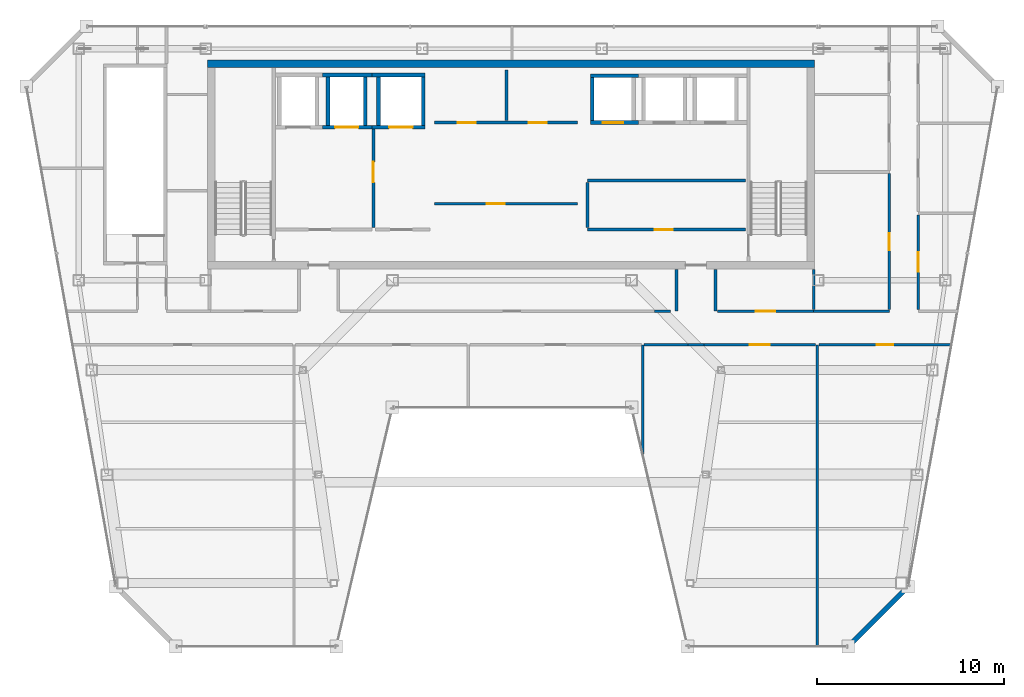
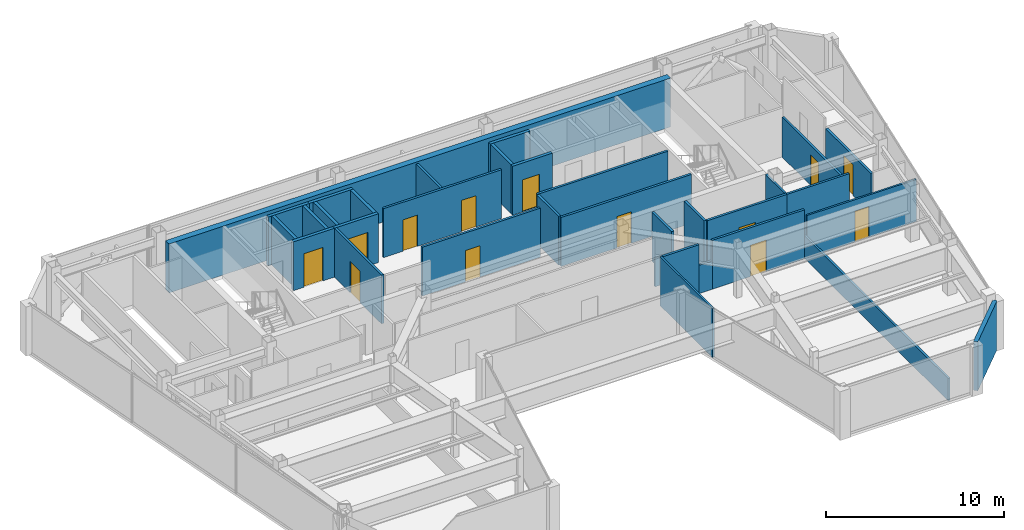
# One storey, part 26 of 30: 34 walls, 13 doors, 13 openings.
"""IFC4 building model written with IfcOpenShell, lengths in metres."""

from ifc_helpers import new_model, si_unit, direction, frame, frame_2d, origin, place, context, subcontext, project, spatial, rectangle, extrude, material, layer, layer_set, type_object, element, fill, save


model = new_model("IFC4")

# Units and contexts
model_context = context("Model", 3, precision=1e-05, world=origin(), true_north=direction((0.0, 1.0)))
body_context = subcontext(model_context, "Body", "Model", "MODEL_VIEW")
ifc_project = project(units=[si_unit("LENGTHUNIT", "METRE"), si_unit("AREAUNIT", "SQUARE_METRE"), si_unit("VOLUMEUNIT", "CUBIC_METRE"), si_unit("PLANEANGLEUNIT", "RADIAN"), si_unit("MASSUNIT", "GRAM", prefix="KILO")], contexts=[model_context])

# Site, building, storey
site_placement = place(None, origin())
site = spatial("IfcSite", under=ifc_project, at=site_placement, CompositionType="ELEMENT")
building_placement = place(site_placement, origin())
building = spatial("IfcBuilding", under=site, at=building_placement, Name="Saevonmaru Cultural Tower", CompositionType="ELEMENT")
storey_placement = place(building_placement, frame((0.0, 0.0, 272.39990234375)))
storey = spatial("IfcBuildingStorey", under=building, at=storey_placement, Name="L64", CompositionType="ELEMENT", Elevation=272.39990234375)

# Wall
ifc_material_1 = material(Name="Concrete C50/60", Category="concrete")
ifc_layer_1 = layer(ifc_material_1, 0.39990234375, Name="Concrete C50/60")
ifc_layer_set_1 = layer_set([ifc_layer_1], Name="Concrete C50/60")
wall_type_1 = type_object("IfcWallType", Name="WL-CORE-400", PredefinedType="SHEAR", material=ifc_layer_set_1)
wall_1_placement = place(storey_placement, frame((13.699951171875, 54.0, 0.0), z_axis=(0.0, 0.0, 1.0), x_axis=(1.0, 0.0, 0.0)))
element("IfcWall", 1, at=wall_1_placement, inside=storey, type_object=wall_type_1, Name="L64 Tower RC core shear wall N", PredefinedType="SHEAR", context=body_context, shape_type="SweptSolid", body=[
    extrude(rectangle(XDim=32.5, YDim=0.39990234375, at=frame_2d((16.25, 0.0))), origin(), (0.0, 0.0, 1.0), 3.35009765625),
])

# Wall, opening, door
ifc_material_2 = material(Name="Gypsum Fireboard Partition", Category="gypsum")
ifc_layer_2 = layer(ifc_material_2, 0.14990234375, Name="Gypsum Fireboard Partition")
ifc_layer_set_2 = layer_set([ifc_layer_2], Name="Gypsum Fireboard Partition")
wall_type_2 = type_object("IfcWallType", Name="WL-CORE-PART-150", PredefinedType="PARTITIONING", material=ifc_layer_set_2)
wall_2_placement = place(storey_placement, frame((22.580078125, 50.550048828125, 0.0), z_axis=(0.0, 0.0, 1.0), x_axis=(0.0, -1.0, 0.0)))
wall_2 = element("IfcWall", 2, at=wall_2_placement, inside=storey, type_object=wall_type_2, Name="L64 Firefighting Lift Lobby East Wall", PredefinedType="PARTITIONING", context=body_context, shape_type="SweptSolid", body=[
    extrude(rectangle(XDim=5.330078125, YDim=0.14990234375, at=frame_2d((2.6650390625, 0.0))), origin(), (0.0, 0.0, 1.0), 3.35009765625),
])
opening_1_placement = place(wall_2_placement, frame((1.800048828125, 0.0, 0.0)))
opening_1 = element("IfcOpeningElement", 3, at=opening_1_placement, cuts=wall_2, Name="Opening FD-2", PredefinedType="OPENING", context=body_context, shape_type="SweptSolid", body=[
    extrude(rectangle(XDim=1.10009765625, YDim=2.14990234375, at=frame_2d((0.550048828125, 1.074951171875))), frame((0.0, 0.0849609375, 0.0), z_axis=(0.0, -1.0, 0.0), x_axis=(1.0, 0.0, 0.0)), (0.0, 0.0, 1.0), 0.169921875),
])
ifc_material_3 = material(Name="Satin Bronze Anodised Aluminium", Category="aluminium")
door_type_1 = type_object("IfcDoorType", Name="DR-FD60-1100", OperationType="SINGLE_SWING_LEFT", PredefinedType="DOOR", material=ifc_material_3)
door_1_placement = place(opening_1_placement, origin())
door_1 = element("IfcDoor", 4, at=door_1_placement, inside=storey, type_object=door_type_1, Name="L64 Firefighting Lift Lobby East Door", OperationType="SINGLE_SWING_LEFT", OverallHeight=2.14990234375, OverallWidth=1.10009765625, PredefinedType="DOOR", context=body_context, shape_type="SweptSolid", body=[
    extrude(rectangle(XDim=1.10009765625, YDim=2.14990234375, at=frame_2d((0.550048828125, 1.074951171875))), frame((0.0, 0.02490234375, 0.0), z_axis=(0.0, -1.0, 0.0), x_axis=(1.0, 0.0, 0.0)), (0.0, 0.0, 1.0), 0.050048828125),
])
fill(opening_1, door_1)

wall_3_placement = place(storey_placement, frame((34.050048828125, 45.1201171875, 0.0), z_axis=(0.0, 0.0, 1.0), x_axis=(1.0, 0.0, 0.0)))
wall_3 = element("IfcWall", 5, at=wall_3_placement, inside=storey, type_object=wall_type_2, Name="L64 Core Service South Wall", PredefinedType="PARTITIONING", context=body_context, shape_type="SweptSolid", body=[
    extrude(rectangle(XDim=8.449951171875, YDim=0.14990234375, at=frame_2d((4.22509765625, 0.0))), origin(), (0.0, 0.0, 1.0), 3.35009765625),
])
opening_2_placement = place(wall_3_placement, frame((3.60009765625, 0.0, 0.0)))
opening_2 = element("IfcOpeningElement", 6, at=opening_2_placement, cuts=wall_3, Name="Opening FD-4", PredefinedType="OPENING", context=body_context, shape_type="SweptSolid", body=[
    extrude(rectangle(XDim=0.949951171875, YDim=2.14990234375, at=frame_2d((0.47509765625, 1.074951171875))), frame((0.0, 0.0849609375, 0.0), z_axis=(0.0, -1.0, 0.0), x_axis=(1.0, 0.0, 0.0)), (0.0, 0.0, 1.0), 0.169921875),
])
door_type_2 = type_object("IfcDoorType", Name="DR-FD60-950", OperationType="SINGLE_SWING_LEFT", PredefinedType="DOOR", material=ifc_material_3)
door_2_placement = place(opening_2_placement, origin())
door_2 = element("IfcDoor", 7, at=door_2_placement, inside=storey, type_object=door_type_2, Name="L64 Telecom Riser Plant Door", OperationType="SINGLE_SWING_LEFT", OverallHeight=2.14990234375, OverallWidth=0.949951171875, PredefinedType="DOOR", context=body_context, shape_type="SweptSolid", body=[
    extrude(rectangle(XDim=0.949951171875, YDim=2.14990234375, at=frame_2d((0.47509765625, 1.074951171875))), frame((0.0, 0.02490234375, 0.0), z_axis=(0.0, -1.0, 0.0), x_axis=(1.0, 0.0, 0.0)), (0.0, 0.0, 1.0), 0.050048828125),
])
fill(opening_2, door_2)

# Walls
wall_4_placement = place(storey_placement, frame((34.050048828125, 47.75, 0.0), z_axis=(0.0, 0.0, 1.0), x_axis=(1.0, 0.0, 0.0)))
element("IfcWall", 8, at=wall_4_placement, inside=storey, type_object=wall_type_2, Name="L64 Core Service North Wall", PredefinedType="PARTITIONING", context=body_context, shape_type="SweptSolid", body=[
    extrude(rectangle(XDim=8.449951171875, YDim=0.14990234375, at=frame_2d((4.22509765625, 0.0))), origin(), (0.0, 0.0, 1.0), 3.35009765625),
])
wall_5_placement = place(storey_placement, frame((34.050048828125, 45.219970703125, 0.0), z_axis=(0.0, 0.0, 1.0), x_axis=(0.0, 1.0, 0.0)))
element("IfcWall", 9, at=wall_5_placement, inside=storey, type_object=wall_type_2, Name="L64 Core Service West Wall", PredefinedType="PARTITIONING", context=body_context, shape_type="SweptSolid", body=[
    extrude(rectangle(XDim=2.429931640625, YDim=0.14990234375, at=frame_2d((1.21484375, 0.0))), origin(), (0.0, 0.0, 1.0), 3.35009765625),
])

# Wall, openings, doors
wall_6_placement = place(storey_placement, frame((25.85009765625, 50.85009765625, 0.0), z_axis=(0.0, 0.0, 1.0), x_axis=(1.0, 0.0, 0.0)))
wall_6 = element("IfcWall", 10, at=wall_6_placement, inside=storey, type_object=wall_type_2, Name="L64 Reclaimed Core Room South Wall", PredefinedType="PARTITIONING", context=body_context, shape_type="SweptSolid", body=[
    extrude(rectangle(XDim=7.64990234375, YDim=0.14990234375, at=frame_2d((3.824951171875, 0.0))), origin(), (0.0, 0.0, 1.0), 3.35009765625),
])
opening_3_placement = place(wall_6_placement, frame((1.25, 0.0, 0.0)))
opening_3 = element("IfcOpeningElement", 11, at=opening_3_placement, cuts=wall_6, Name="Opening FD-4", PredefinedType="OPENING", context=body_context, shape_type="SweptSolid", body=[
    extrude(rectangle(XDim=0.949951171875, YDim=2.14990234375, at=frame_2d((0.47509765625, 1.074951171875))), frame((0.0, 0.0849609375, 0.0), z_axis=(0.0, -1.0, 0.0), x_axis=(1.0, 0.0, 0.0)), (0.0, 0.0, 1.0), 0.169921875),
])
opening_4_placement = place(wall_6_placement, frame((5.050048828125, 0.0, 0.0)))
opening_4 = element("IfcOpeningElement", 12, at=opening_4_placement, cuts=wall_6, Name="Opening FD-4", PredefinedType="OPENING", context=body_context, shape_type="SweptSolid", body=[
    extrude(rectangle(XDim=0.949951171875, YDim=2.14990234375, at=frame_2d((0.47509765625, 1.074951171875))), frame((0.0, 0.0849609375, 0.0), z_axis=(0.0, -1.0, 0.0), x_axis=(1.0, 0.0, 0.0)), (0.0, 0.0, 1.0), 0.169921875),
])
door_3_placement = place(opening_3_placement, origin())
door_3 = element("IfcDoor", 13, at=door_3_placement, inside=storey, type_object=door_type_2, Name="L64 Reclaimed Archive Vault Door", OperationType="SINGLE_SWING_LEFT", OverallHeight=2.14990234375, OverallWidth=0.949951171875, PredefinedType="DOOR", context=body_context, shape_type="SweptSolid", body=[
    extrude(rectangle(XDim=0.949951171875, YDim=2.14990234375, at=frame_2d((0.47509765625, 1.074951171875))), frame((0.0, 0.02490234375, 0.0), z_axis=(0.0, -1.0, 0.0), x_axis=(1.0, 0.0, 0.0)), (0.0, 0.0, 1.0), 0.050048828125),
])
fill(opening_3, door_3)
door_4_placement = place(opening_4_placement, origin())
door_4 = element("IfcDoor", 14, at=door_4_placement, inside=storey, type_object=door_type_2, Name="L64 Reclaimed Conservation Storage Door", OperationType="SINGLE_SWING_LEFT", OverallHeight=2.14990234375, OverallWidth=0.949951171875, PredefinedType="DOOR", context=body_context, shape_type="SweptSolid", body=[
    extrude(rectangle(XDim=0.949951171875, YDim=2.14990234375, at=frame_2d((0.47509765625, 1.074951171875))), frame((0.0, 0.02490234375, 0.0), z_axis=(0.0, -1.0, 0.0), x_axis=(1.0, 0.0, 0.0)), (0.0, 0.0, 1.0), 0.050048828125),
])
fill(opening_4, door_4)

# Wall
wall_7_placement = place(storey_placement, frame((29.699951171875, 50.949951171875, 0.0), z_axis=(0.0, 0.0, 1.0), x_axis=(0.0, 1.0, 0.0)))
element("IfcWall", 15, at=wall_7_placement, inside=storey, type_object=wall_type_2, Name="L64 Reclaimed Vault Split", PredefinedType="PARTITIONING", context=body_context, shape_type="SweptSolid", body=[
    extrude(rectangle(XDim=2.699951171875, YDim=0.14990234375, at=frame_2d((1.35009765625, 0.0))), origin(), (0.0, 0.0, 1.0), 3.35009765625),
])

# Wall, opening, door
wall_8_placement = place(storey_placement, frame((25.85009765625, 46.5, 0.0), z_axis=(0.0, 0.0, 1.0), x_axis=(1.0, 0.0, 0.0)))
wall_8 = element("IfcWall", 16, at=wall_8_placement, inside=storey, type_object=wall_type_2, Name="L64 Reclaimed Mid-Shaft Wall", PredefinedType="PARTITIONING", context=body_context, shape_type="SweptSolid", body=[
    extrude(rectangle(XDim=7.64990234375, YDim=0.14990234375, at=frame_2d((3.824951171875, 0.0))), origin(), (0.0, 0.0, 1.0), 3.35009765625),
])
opening_5_placement = place(wall_8_placement, frame((2.800048828125, 0.0, 0.0)))
opening_5 = element("IfcOpeningElement", 17, at=opening_5_placement, cuts=wall_8, Name="Opening FD-4", PredefinedType="OPENING", context=body_context, shape_type="SweptSolid", body=[
    extrude(rectangle(XDim=0.949951171875, YDim=2.14990234375, at=frame_2d((0.47509765625, 1.074951171875))), frame((0.0, 0.0849609375, 0.0), z_axis=(0.0, -1.0, 0.0), x_axis=(1.0, 0.0, 0.0)), (0.0, 0.0, 1.0), 0.169921875),
])
door_5_placement = place(opening_5_placement, origin())
door_5 = element("IfcDoor", 18, at=door_5_placement, inside=storey, type_object=door_type_2, Name="L64 Reclaimed Manuscript Storage Door", OperationType="SINGLE_SWING_LEFT", OverallHeight=2.14990234375, OverallWidth=0.949951171875, PredefinedType="DOOR", context=body_context, shape_type="SweptSolid", body=[
    extrude(rectangle(XDim=0.949951171875, YDim=2.14990234375, at=frame_2d((0.47509765625, 1.074951171875))), frame((0.0, 0.02490234375, 0.0), z_axis=(0.0, -1.0, 0.0), x_axis=(1.0, 0.0, 0.0)), (0.0, 0.0, 1.0), 0.050048828125),
])
fill(opening_5, door_5)

# Wall
ifc_material_4 = material(Name="Granite-Clad Precast Concrete C40/50", Category="masonry")
ifc_layer_3 = layer(ifc_material_4, 0.260009765625, Name="Granite-Clad Precast Concrete C40/50")
ifc_layer_set_3 = layer_set([ifc_layer_3], Name="Granite-Clad Precast Concrete C40/50")
wall_type_3 = type_object("IfcWallType", Name="WL-EXT-SPANDREL-260", PredefinedType="STANDARD", material=ifc_layer_set_3)
wall_9_placement = place(storey_placement, frame((48.117431640625, 22.9130859375, 0.0), z_axis=(0.0, 0.0, 1.0), x_axis=(0.707106781187, 0.707106781187, 0.0)))
element("IfcWall", 19, at=wall_9_placement, inside=storey, type_object=wall_type_3, Name="L64 Chamfer Corner Spandrel Wall E7", PredefinedType="STANDARD", context=body_context, shape_type="SweptSolid", body=[
    extrude(rectangle(XDim=4.205810546875, YDim=0.260009765625, at=frame_2d((2.10302734375, 0.0))), origin(), (0.0, 0.0, 1.0), 3.35009765625),
])

# Wall, opening, door
ifc_layer_4 = layer(ifc_material_2, 0.14990234375, Name="Gypsum Fireboard Partition")
ifc_layer_set_4 = layer_set([ifc_layer_4], Name="Gypsum Fireboard Partition")
wall_type_4 = type_object("IfcWallType", Name="WL-PART-FIRE-150", PredefinedType="PARTITIONING", material=ifc_layer_set_4)
wall_10_placement = place(storey_placement, frame((51.75, 40.83740234375, 0.0), z_axis=(0.0, 0.0, 1.0), x_axis=(0.0, 1.0, 0.0)))
wall_10 = element("IfcWall", 20, at=wall_10_placement, inside=storey, type_object=wall_type_4, Name="L64 Contemporary Photography Gallery Corridor Wall", PredefinedType="PARTITIONING", context=body_context, shape_type="SweptSolid", body=[
    extrude(rectangle(XDim=5.0751953125, YDim=0.14990234375, at=frame_2d((2.53759765625, 0.0))), origin(), (0.0, 0.0, 1.0), 2.7470703125),
])
opening_6_placement = place(wall_10_placement, frame((2.012939453125, 0.0, 0.0)))
opening_6 = element("IfcOpeningElement", 21, at=opening_6_placement, cuts=wall_10, Name="Opening ID-1", PredefinedType="OPENING", context=body_context, shape_type="SweptSolid", body=[
    extrude(rectangle(XDim=1.050048828125, YDim=2.14990234375, at=frame_2d((0.52490234375, 1.074951171875))), frame((0.0, 0.0849609375, 0.0), z_axis=(0.0, -1.0, 0.0), x_axis=(1.0, 0.0, 0.0)), (0.0, 0.0, 1.0), 0.169921875),
])
door_type_3 = type_object("IfcDoorType", Name="DR-INT-1050", OperationType="SINGLE_SWING_LEFT", PredefinedType="DOOR", material=ifc_material_3)
door_6_placement = place(opening_6_placement, origin())
door_6 = element("IfcDoor", 22, at=door_6_placement, inside=storey, type_object=door_type_3, Name="L64 Contemporary Photography Gallery Door", OperationType="SINGLE_SWING_LEFT", OverallHeight=2.14990234375, OverallWidth=1.050048828125, PredefinedType="DOOR", context=body_context, shape_type="SweptSolid", body=[
    extrude(rectangle(XDim=1.050048828125, YDim=2.14990234375, at=frame_2d((0.52490234375, 1.074951171875))), frame((0.0, 0.02490234375, 0.0), z_axis=(0.0, -1.0, 0.0), x_axis=(1.0, 0.0, 0.0)), (0.0, 0.0, 1.0), 0.050048828125),
])
fill(opening_6, door_6)

# Walls
for number, where, z_axis, x_axis, name in (
    (23, (38.800048828125, 40.75, 0.0), (0.0, 0.0, 1.0), (0.0, 1.0, 0.0), "L64 Core Portal Side Wall E1"),
    (24, (40.89990234375, 40.75, 0.0), (0.0, 0.0, 1.0), (0.0, 1.0, 0.0), "L64 Core Portal Side Wall E2"),
):
    element("IfcWall", number, at=place(storey_placement, frame(where, z_axis=z_axis, x_axis=x_axis)), inside=storey, type_object=wall_type_4, Name=name, PredefinedType="PARTITIONING", context=body_context, shape_type="SweptSolid", body=[
        extrude(rectangle(XDim=2.22998046875, YDim=0.14990234375, at=frame_2d((1.114990234375, 0.0))), origin(), (0.0, 0.0, 1.0), 3.35009765625),
    ])

# Wall, opening, door
wall_11_placement = place(storey_placement, frame((40.9951171875, 40.75, 0.0), z_axis=(0.0, 0.0, 1.0), x_axis=(1.0, 0.0, 0.0)))
wall_11 = element("IfcWall", 25, at=wall_11_placement, inside=storey, type_object=wall_type_4, Name="L64 Sculpture Study Gallery Corridor Wall", PredefinedType="PARTITIONING", context=body_context, shape_type="SweptSolid", body=[
    extrude(rectangle(XDim=5.15478515625, YDim=0.14990234375, at=frame_2d((2.577392578125, 0.0))), origin(), (0.0, 0.0, 1.0), 3.35009765625),
])
opening_7_placement = place(wall_11_placement, frame((2.052978515625, 0.0, 0.0)))
opening_7 = element("IfcOpeningElement", 26, at=opening_7_placement, cuts=wall_11, Name="Opening ID-1", PredefinedType="OPENING", context=body_context, shape_type="SweptSolid", body=[
    extrude(rectangle(XDim=1.050048828125, YDim=2.14990234375, at=frame_2d((0.52490234375, 1.074951171875))), frame((0.0, 0.0849609375, 0.0), z_axis=(0.0, -1.0, 0.0), x_axis=(1.0, 0.0, 0.0)), (0.0, 0.0, 1.0), 0.169921875),
])
door_7_placement = place(opening_7_placement, origin())
door_7 = element("IfcDoor", 27, at=door_7_placement, inside=storey, type_object=door_type_3, Name="L64 Sculpture Study Gallery Door", OperationType="SINGLE_SWING_RIGHT", OverallHeight=2.14990234375, OverallWidth=1.050048828125, PredefinedType="DOOR", context=body_context, shape_type="SweptSolid", body=[
    extrude(rectangle(XDim=1.050048828125, YDim=2.14990234375, at=frame_2d((0.52490234375, 1.074951171875))), frame((0.0, 0.02490234375, 0.0), z_axis=(0.0, -1.0, 0.0), x_axis=(1.0, 0.0, 0.0)), (0.0, 0.0, 1.0), 0.050048828125),
])
fill(opening_7, door_7)

wall_12_placement = place(storey_placement, frame((40.275146484375, 38.949951171875, 0.0), z_axis=(0.0, 0.0, 1.0), x_axis=(1.0, 0.0, 0.0)))
wall_12 = element("IfcWall", 28, at=wall_12_placement, inside=storey, type_object=wall_type_4, Name="L64 Contemporary Photography Gallery Corridor Wall", PredefinedType="PARTITIONING", context=body_context, shape_type="SweptSolid", body=[
    extrude(rectangle(XDim=5.977294921875, YDim=0.14990234375, at=frame_2d((2.98876953125, 0.0))), origin(), (0.0, 0.0, 1.0), 3.35009765625),
])
opening_8_placement = place(wall_12_placement, frame((2.464111328125, 0.0, 0.0)))
opening_8 = element("IfcOpeningElement", 29, at=opening_8_placement, cuts=wall_12, Name="Opening ID-1", PredefinedType="OPENING", context=body_context, shape_type="SweptSolid", body=[
    extrude(rectangle(XDim=1.050048828125, YDim=2.14990234375, at=frame_2d((0.52490234375, 1.074951171875))), frame((0.0, 0.0849609375, 0.0), z_axis=(0.0, -1.0, 0.0), x_axis=(1.0, 0.0, 0.0)), (0.0, 0.0, 1.0), 0.169921875),
])
door_8_placement = place(opening_8_placement, origin())
door_8 = element("IfcDoor", 30, at=door_8_placement, inside=storey, type_object=door_type_3, Name="L64 Contemporary Photography Gallery Door", OperationType="SINGLE_SWING_RIGHT", OverallHeight=2.14990234375, OverallWidth=1.050048828125, PredefinedType="DOOR", context=body_context, shape_type="SweptSolid", body=[
    extrude(rectangle(XDim=1.050048828125, YDim=2.14990234375, at=frame_2d((0.52490234375, 1.074951171875))), frame((0.0, 0.02490234375, 0.0), z_axis=(0.0, -1.0, 0.0), x_axis=(1.0, 0.0, 0.0)), (0.0, 0.0, 1.0), 0.050048828125),
])
fill(opening_8, door_8)

# Walls
wall_13_placement = place(storey_placement, frame((37.080078125, 38.949951171875, 0.0), z_axis=(0.0, 0.0, 1.0), x_axis=(1.0, 0.0, 0.0)))
element("IfcWall", 31, at=wall_13_placement, inside=storey, type_object=wall_type_4, Name="L64 Contemporary Photography Gallery Corridor Wall (2)", PredefinedType="PARTITIONING", context=body_context, shape_type="SweptSolid", body=[
    extrude(rectangle(XDim=2.333251953125, YDim=0.14990234375, at=frame_2d((1.16650390625, 0.0))), origin(), (0.0, 0.0, 1.0), 3.35009765625),
])
wall_14_placement = place(storey_placement, frame((39.413330078125, 38.949951171875, 0.0), z_axis=(0.0, 0.0, 1.0), x_axis=(1.0, 0.0, 0.0)))
element("IfcWall", 32, at=wall_14_placement, inside=storey, type_object=wall_type_4, Name="L64 Contemporary Photography Gallery Corridor Wall (3)", PredefinedType="PARTITIONING", context=body_context, shape_type="SweptSolid", body=[
    extrude(rectangle(XDim=0.86181640625, YDim=0.14990234375, at=frame_2d((0.430908203125, 0.0))), origin(), (0.0, 0.0, 1.0), 1.93505859375),
])
ifc_layer_5 = layer(ifc_material_2, 0.1201171875, Name="Gypsum Fireboard Partition")
ifc_layer_set_5 = layer_set([ifc_layer_5], Name="Gypsum Fireboard Partition")
wall_type_5 = type_object("IfcWallType", Name="WL-PART-GYP-120", PredefinedType="PARTITIONING", material=ifc_layer_set_5)
wall_15_placement = place(storey_placement, frame((37.6162109375, 40.75, 0.0), z_axis=(0.0, 0.0, 1.0), x_axis=(1.0, 0.0, 0.0)))
element("IfcWall", 33, at=wall_15_placement, inside=storey, type_object=wall_type_5, Name="L64 Digital Humanities Office Corridor Wall (4)", PredefinedType="PARTITIONING", context=body_context, shape_type="SweptSolid", body=[
    extrude(rectangle(XDim=0.862060546875, YDim=0.1201171875, at=frame_2d((0.43115234375, 0.0))), origin(), (0.0, 0.0, 1.0), 1.93505859375),
])
wall_16_placement = place(storey_placement, frame((37.0, 33.080810546875, 0.0), z_axis=(0.0, 0.0, 1.0), x_axis=(0.0, 1.0, 0.0)))
element("IfcWall", 34, at=wall_16_placement, inside=storey, type_object=wall_type_5, Name="L64 Observatory Bay Divider 3", PredefinedType="PARTITIONING", context=body_context, shape_type="SweptSolid", body=[
    extrude(rectangle(XDim=5.869140625, YDim=0.1201171875, at=frame_2d((2.9345703125, 0.0))), origin(), (0.0, 0.0, 1.0), 3.35009765625),
])

# Wall, opening, door
wall_17_placement = place(storey_placement, frame((46.427490234375, 38.949951171875, 0.0), z_axis=(0.0, 0.0, 1.0), x_axis=(1.0, 0.0, 0.0)))
wall_17 = element("IfcWall", 35, at=wall_17_placement, inside=storey, type_object=wall_type_5, Name="L64 Digital Media Classroom Corridor Wall", PredefinedType="PARTITIONING", context=body_context, shape_type="SweptSolid", body=[
    extrude(rectangle(XDim=7.089111328125, YDim=0.1201171875, at=frame_2d((3.54443359375, 0.0))), origin(), (0.0, 0.0, 1.0), 2.885009765625),
])
opening_9_placement = place(wall_17_placement, frame((3.094970703125, 0.0, 0.0)))
opening_9 = element("IfcOpeningElement", 36, at=opening_9_placement, cuts=wall_17, Name="Opening ID-2", PredefinedType="OPENING", context=body_context, shape_type="SweptSolid", body=[
    extrude(rectangle(XDim=0.89990234375, YDim=2.10009765625, at=frame_2d((0.449951171875, 1.050048828125))), frame((0.0, 0.070068359375, 0.0), z_axis=(0.0, -1.0, 0.0), x_axis=(1.0, 0.0, 0.0)), (0.0, 0.0, 1.0), 0.14013671875),
])
ifc_material_5 = material(Name="Acoustic Stained Oak Timber", Category="wood")
door_type_4 = type_object("IfcDoorType", Name="DR-INT-900", OperationType="SINGLE_SWING_RIGHT", PredefinedType="DOOR", material=ifc_material_5)
door_9_placement = place(opening_9_placement, origin())
door_9 = element("IfcDoor", 37, at=door_9_placement, inside=storey, type_object=door_type_4, Name="L64 Digital Media Classroom Door", OperationType="SINGLE_SWING_LEFT", OverallHeight=2.10009765625, OverallWidth=0.89990234375, PredefinedType="DOOR", context=body_context, shape_type="SweptSolid", body=[
    extrude(rectangle(XDim=0.89990234375, YDim=2.10009765625, at=frame_2d((0.449951171875, 1.050048828125))), frame((0.0, 0.02490234375, 0.0), z_axis=(0.0, -1.0, 0.0), x_axis=(1.0, 0.0, 0.0)), (0.0, 0.0, 1.0), 0.050048828125),
])
fill(opening_9, door_9)

# Walls
ifc_layer_6 = layer(ifc_material_2, 0.135009765625, Name="Gypsum Fireboard Partition")
ifc_layer_set_6 = layer_set([ifc_layer_6], Name="Gypsum Fireboard Partition")
wall_type_6 = type_object("IfcWallType", Name="WL-PART-GYP-135", PredefinedType="PARTITIONING", material=ifc_layer_set_6)
wall_18_placement = place(storey_placement, frame((46.340087890625, 22.804931640625, 0.0), z_axis=(0.0, 0.0, 1.0), x_axis=(0.0, 1.0, 0.0)))
element("IfcWall", 38, at=wall_18_placement, inside=storey, type_object=wall_type_6, Name="L64 Observatory Bay Divider 4", PredefinedType="PARTITIONING", context=body_context, shape_type="SweptSolid", body=[
    extrude(rectangle(XDim=16.14501953125, YDim=0.135009765625, at=frame_2d((8.072509765625, 0.0))), origin(), (0.0, 0.0, 1.0), 1.53515625),
])
ifc_layer_7 = layer(ifc_material_2, 0.139892578125, Name="Gypsum Fireboard Partition")
ifc_layer_set_7 = layer_set([ifc_layer_7], Name="Gypsum Fireboard Partition")
wall_type_7 = type_object("IfcWallType", Name="WL-PART-WET-140", PredefinedType="PARTITIONING", material=ifc_layer_set_7)
wall_19_placement = place(storey_placement, frame((46.14990234375, 40.75, 0.0), z_axis=(0.0, 0.0, 1.0), x_axis=(1.0, 0.0, 0.0)))
element("IfcWall", 39, at=wall_19_placement, inside=storey, type_object=wall_type_7, Name="L64 Washroom South Wall", PredefinedType="PARTITIONING", context=body_context, shape_type="SweptSolid", body=[
    extrude(rectangle(XDim=4.050048828125, YDim=0.139892578125, at=frame_2d((2.02490234375, 0.0))), origin(), (0.0, 0.0, 1.0), 3.35009765625),
])
wall_20_placement = place(storey_placement, frame((46.14990234375, 40.840087890625, 0.0), z_axis=(0.0, 0.0, 1.0), x_axis=(0.0, 1.0, 0.0)))
element("IfcWall", 40, at=wall_20_placement, inside=storey, type_object=wall_type_7, Name="L64 Washroom South-West Return", PredefinedType="PARTITIONING", context=body_context, shape_type="SweptSolid", body=[
    extrude(rectangle(XDim=2.139892578125, YDim=0.139892578125, at=frame_2d((1.06982421875, 0.0))), origin(), (0.0, 0.0, 1.0), 3.35009765625),
])

# Wall, opening, door
wall_21_placement = place(storey_placement, frame((50.199951171875, 40.840087890625, 0.0), z_axis=(0.0, 0.0, 1.0), x_axis=(0.0, 1.0, 0.0)))
wall_21 = element("IfcWall", 41, at=wall_21_placement, inside=storey, type_object=wall_type_7, Name="L64 Washroom Corridor Wall", PredefinedType="PARTITIONING", context=body_context, shape_type="SweptSolid", body=[
    extrude(rectangle(XDim=7.27001953125, YDim=0.139892578125, at=frame_2d((3.635009765625, 0.0))), origin(), (0.0, 0.0, 1.0), 2.7470703125),
])
opening_10_placement = place(wall_21_placement, frame((3.18505859375, 0.0, 0.0)))
opening_10 = element("IfcOpeningElement", 42, at=opening_10_placement, cuts=wall_21, Name="Opening ID-2", PredefinedType="OPENING", context=body_context, shape_type="SweptSolid", body=[
    extrude(rectangle(XDim=0.89990234375, YDim=2.10009765625, at=frame_2d((0.449951171875, 1.050048828125))), frame((0.0, 0.080078125, 0.0), z_axis=(0.0, -1.0, 0.0), x_axis=(1.0, 0.0, 0.0)), (0.0, 0.0, 1.0), 0.159912109375),
])
door_10_placement = place(opening_10_placement, origin())
door_10 = element("IfcDoor", 43, at=door_10_placement, inside=storey, type_object=door_type_4, Name="L64 Public Accessible Washrooms Door", OperationType="SINGLE_SWING_RIGHT", OverallHeight=2.10009765625, OverallWidth=0.89990234375, PredefinedType="DOOR", context=body_context, shape_type="SweptSolid", body=[
    extrude(rectangle(XDim=0.89990234375, YDim=2.10009765625, at=frame_2d((0.449951171875, 1.050048828125))), frame((0.0, 0.02490234375, 0.0), z_axis=(0.0, -1.0, 0.0), x_axis=(1.0, 0.0, 0.0)), (0.0, 0.0, 1.0), 0.050048828125),
])
fill(opening_10, door_10)

ifc_material_6 = material(Name="Concrete C40/50", Category="concrete")
ifc_layer_8 = layer(ifc_material_6, 0.199951171875, Name="Concrete C40/50")
ifc_layer_set_8 = layer_set([ifc_layer_8], Name="Concrete C40/50")
wall_type_8 = type_object("IfcWallType", Name="WL-SHAFT-200", PredefinedType="SHEAR", material=ifc_layer_set_8)
wall_22_placement = place(storey_placement, frame((19.85009765625, 50.60009765625, 0.0), z_axis=(0.0, 0.0, 1.0), x_axis=(1.0, 0.0, 0.0)))
wall_22 = element("IfcWall", 44, at=wall_22_placement, inside=storey, type_object=wall_type_8, Name="L64 Lift FFL-2 Hoistway Wall S", PredefinedType="SHEAR", context=body_context, shape_type="SweptSolid", body=[
    extrude(rectangle(XDim=2.64990234375, YDim=0.199951171875, at=frame_2d((1.324951171875, 0.0))), origin(), (0.0, 0.0, 1.0), 3.35009765625),
])
opening_11_placement = place(wall_22_placement, frame((0.675048828125, 0.0, 0.0)))
opening_11 = element("IfcOpeningElement", 45, at=opening_11_placement, cuts=wall_22, Name="Opening LD-2", PredefinedType="OPENING", context=body_context, shape_type="SweptSolid", body=[
    extrude(rectangle(XDim=1.25, YDim=2.300048828125, at=frame_2d((0.625, 1.14990234375))), frame((0.0, 0.10986328125, 0.0), z_axis=(0.0, -1.0, 0.0), x_axis=(1.0, 0.0, 0.0)), (0.0, 0.0, 1.0), 0.219970703125),
])
ifc_material_7 = material(Name="Stainless Steel 316", Category="steel")
door_type_5 = type_object("IfcDoorType", Name="DR-LIFT-1250", OperationType="SLIDING_TO_LEFT", PredefinedType="DOOR", material=ifc_material_7)
door_11_placement = place(opening_11_placement, origin())
door_11 = element("IfcDoor", 46, at=door_11_placement, inside=storey, type_object=door_type_5, Name="L64 Lift FFL-2 Sliding Landing Door", OperationType="SLIDING_TO_LEFT", OverallHeight=2.300048828125, OverallWidth=1.25, PredefinedType="DOOR", context=body_context, shape_type="SweptSolid", body=[
    extrude(rectangle(XDim=1.25, YDim=2.300048828125, at=frame_2d((0.625, 1.14990234375))), frame((0.0, 0.02490234375, 0.0), z_axis=(0.0, -1.0, 0.0), x_axis=(1.0, 0.0, 0.0)), (0.0, 0.0, 1.0), 0.050048828125),
])
fill(opening_11, door_11)

# Walls
wall_23_placement = place(storey_placement, frame((19.85009765625, 53.39990234375, 0.0), z_axis=(0.0, 0.0, 1.0), x_axis=(1.0, 0.0, 0.0)))
element("IfcWall", 47, at=wall_23_placement, inside=storey, type_object=wall_type_8, Name="L64 Lift FFL-2 Hoistway Wall N", PredefinedType="SHEAR", context=body_context, shape_type="SweptSolid", body=[
    extrude(rectangle(XDim=2.64990234375, YDim=0.199951171875, at=frame_2d((1.324951171875, 0.0))), origin(), (0.0, 0.0, 1.0), 3.35009765625),
])
for number, where, z_axis, x_axis, name in (
    (48, (20.14990234375, 50.699951171875, 0.0), (0.0, 0.0, 1.0), (0.0, 1.0, 0.0), "L64 Lift FFL-2 Hoistway Wall W"),
    (49, (22.14990234375, 50.699951171875, 0.0), (0.0, 0.0, 1.0), (0.0, 1.0, 0.0), "L64 Lift FFL-2 Hoistway Wall E"),
):
    element("IfcWall", number, at=place(storey_placement, frame(where, z_axis=z_axis, x_axis=x_axis)), inside=storey, type_object=wall_type_8, Name=name, PredefinedType="SHEAR", context=body_context, shape_type="SweptSolid", body=[
        extrude(rectangle(XDim=2.60009765625, YDim=0.199951171875, at=frame_2d((1.300048828125, 0.0))), origin(), (0.0, 0.0, 1.0), 3.35009765625),
    ])

# Wall, opening, door
wall_24_placement = place(storey_placement, frame((22.5, 50.60009765625, 0.0), z_axis=(0.0, 0.0, 1.0), x_axis=(1.0, 0.0, 0.0)))
wall_24 = element("IfcWall", 50, at=wall_24_placement, inside=storey, type_object=wall_type_8, Name="L64 Lift GL-1 Hoistway Wall S", PredefinedType="SHEAR", context=body_context, shape_type="SweptSolid", body=[
    extrude(rectangle(XDim=2.85009765625, YDim=0.199951171875, at=frame_2d((1.425048828125, 0.0))), origin(), (0.0, 0.0, 1.0), 3.35009765625),
])
opening_12_placement = place(wall_24_placement, frame((0.925048828125, 0.0, 0.0)))
opening_12 = element("IfcOpeningElement", 51, at=opening_12_placement, cuts=wall_24, Name="Opening LD-2", PredefinedType="OPENING", context=body_context, shape_type="SweptSolid", body=[
    extrude(rectangle(XDim=1.25, YDim=2.300048828125, at=frame_2d((0.625, 1.14990234375))), frame((0.0, 0.10986328125, 0.0), z_axis=(0.0, -1.0, 0.0), x_axis=(1.0, 0.0, 0.0)), (0.0, 0.0, 1.0), 0.219970703125),
])
door_12_placement = place(opening_12_placement, origin())
door_12 = element("IfcDoor", 52, at=door_12_placement, inside=storey, type_object=door_type_5, Name="L64 Lift GL-1 Sliding Landing Door", OperationType="SLIDING_TO_LEFT", OverallHeight=2.300048828125, OverallWidth=1.25, PredefinedType="DOOR", context=body_context, shape_type="SweptSolid", body=[
    extrude(rectangle(XDim=1.25, YDim=2.300048828125, at=frame_2d((0.625, 1.14990234375))), frame((0.0, 0.02490234375, 0.0), z_axis=(0.0, -1.0, 0.0), x_axis=(1.0, 0.0, 0.0)), (0.0, 0.0, 1.0), 0.050048828125),
])
fill(opening_12, door_12)

# Walls
wall_25_placement = place(storey_placement, frame((22.5, 53.39990234375, 0.0), z_axis=(0.0, 0.0, 1.0), x_axis=(1.0, 0.0, 0.0)))
element("IfcWall", 53, at=wall_25_placement, inside=storey, type_object=wall_type_8, Name="L64 Lift GL-1 Hoistway Wall N", PredefinedType="SHEAR", context=body_context, shape_type="SweptSolid", body=[
    extrude(rectangle(XDim=2.85009765625, YDim=0.199951171875, at=frame_2d((1.425048828125, 0.0))), origin(), (0.0, 0.0, 1.0), 3.35009765625),
])
for number, where, z_axis, x_axis, name in (
    (54, (22.85009765625, 50.699951171875, 0.0), (0.0, 0.0, 1.0), (0.0, 1.0, 0.0), "L64 Lift GL-1 Hoistway Wall W"),
    (55, (25.25, 50.699951171875, 0.0), (0.0, 0.0, 1.0), (0.0, 1.0, 0.0), "L64 Lift GL-1 Hoistway Wall E"),
):
    element("IfcWall", number, at=place(storey_placement, frame(where, z_axis=z_axis, x_axis=x_axis)), inside=storey, type_object=wall_type_8, Name=name, PredefinedType="SHEAR", context=body_context, shape_type="SweptSolid", body=[
        extrude(rectangle(XDim=2.60009765625, YDim=0.199951171875, at=frame_2d((1.300048828125, 0.0))), origin(), (0.0, 0.0, 1.0), 3.35009765625),
    ])

# Wall, opening, door
wall_26_placement = place(storey_placement, frame((34.199951171875, 50.85009765625, 0.0), z_axis=(0.0, 0.0, 1.0), x_axis=(1.0, 0.0, 0.0)))
wall_26 = element("IfcWall", 56, at=wall_26_placement, inside=storey, type_object=wall_type_8, Name="L64 Lift PL-H1 Hoistway Wall S", PredefinedType="SHEAR", context=body_context, shape_type="SweptSolid", body=[
    extrude(rectangle(XDim=2.574951171875, YDim=0.199951171875, at=frame_2d((1.28759765625, 0.0))), origin(), (0.0, 0.0, 1.0), 3.35009765625),
])
opening_13_placement = place(wall_26_placement, frame((0.64990234375, 0.0, 0.0)))
opening_13 = element("IfcOpeningElement", 57, at=opening_13_placement, cuts=wall_26, Name="Opening LD-1", PredefinedType="OPENING", context=body_context, shape_type="SweptSolid", body=[
    extrude(rectangle(XDim=1.10009765625, YDim=2.199951171875, at=frame_2d((0.550048828125, 1.10009765625))), frame((0.0, 0.10986328125, 0.0), z_axis=(0.0, -1.0, 0.0), x_axis=(1.0, 0.0, 0.0)), (0.0, 0.0, 1.0), 0.219970703125),
])
ifc_material_8 = material(Name="Satin Bronze Stainless Steel", Category="steel")
door_type_6 = type_object("IfcDoorType", Name="DR-LIFT-1100", OperationType="SLIDING_TO_LEFT", PredefinedType="DOOR", material=ifc_material_8)
door_13_placement = place(opening_13_placement, origin())
door_13 = element("IfcDoor", 58, at=door_13_placement, inside=storey, type_object=door_type_6, Name="L64 Lift PL-H1 Sliding Landing Door", OperationType="SLIDING_TO_LEFT", OverallHeight=2.199951171875, OverallWidth=1.10009765625, PredefinedType="DOOR", context=body_context, shape_type="SweptSolid", body=[
    extrude(rectangle(XDim=1.10009765625, YDim=2.199951171875, at=frame_2d((0.550048828125, 1.10009765625))), frame((0.0, 0.02490234375, 0.0), z_axis=(0.0, -1.0, 0.0), x_axis=(1.0, 0.0, 0.0)), (0.0, 0.0, 1.0), 0.050048828125),
])
fill(opening_13, door_13)

# Walls
wall_27_placement = place(storey_placement, frame((34.199951171875, 53.35009765625, 0.0), z_axis=(0.0, 0.0, 1.0), x_axis=(1.0, 0.0, 0.0)))
element("IfcWall", 59, at=wall_27_placement, inside=storey, type_object=wall_type_8, Name="L64 Lift PL-H1 Hoistway Wall N", PredefinedType="SHEAR", context=body_context, shape_type="SweptSolid", body=[
    extrude(rectangle(XDim=2.574951171875, YDim=0.199951171875, at=frame_2d((1.28759765625, 0.0))), origin(), (0.0, 0.0, 1.0), 3.35009765625),
])
wall_28_placement = place(storey_placement, frame((34.300048828125, 50.949951171875, 0.0), z_axis=(0.0, 0.0, 1.0), x_axis=(0.0, 1.0, 0.0)))
element("IfcWall", 60, at=wall_28_placement, inside=storey, type_object=wall_type_8, Name="L64 Lift PL-H1 Hoistway Wall W", PredefinedType="SHEAR", context=body_context, shape_type="SweptSolid", body=[
    extrude(rectangle(XDim=2.300048828125, YDim=0.199951171875, at=frame_2d((1.14990234375, 0.0))), origin(), (0.0, 0.0, 1.0), 3.35009765625),
])

save(model, "model.ifc")
